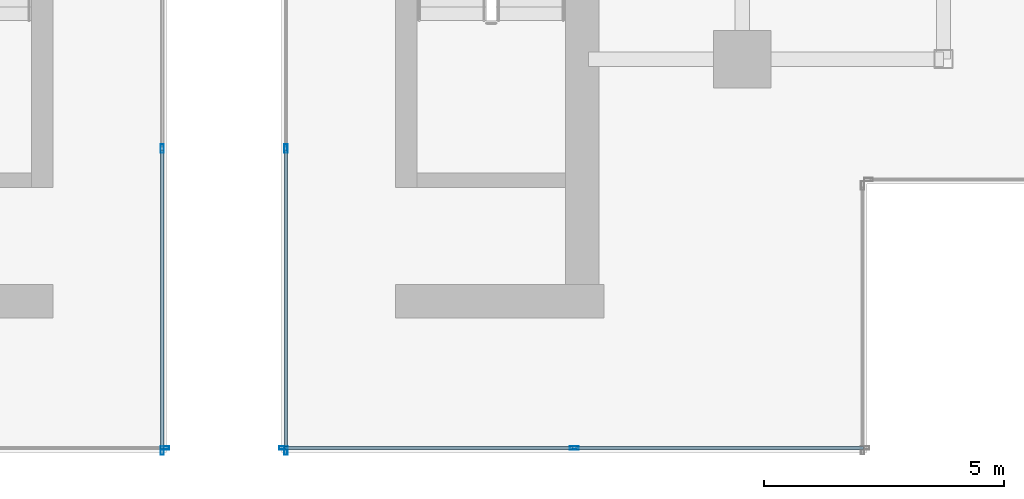
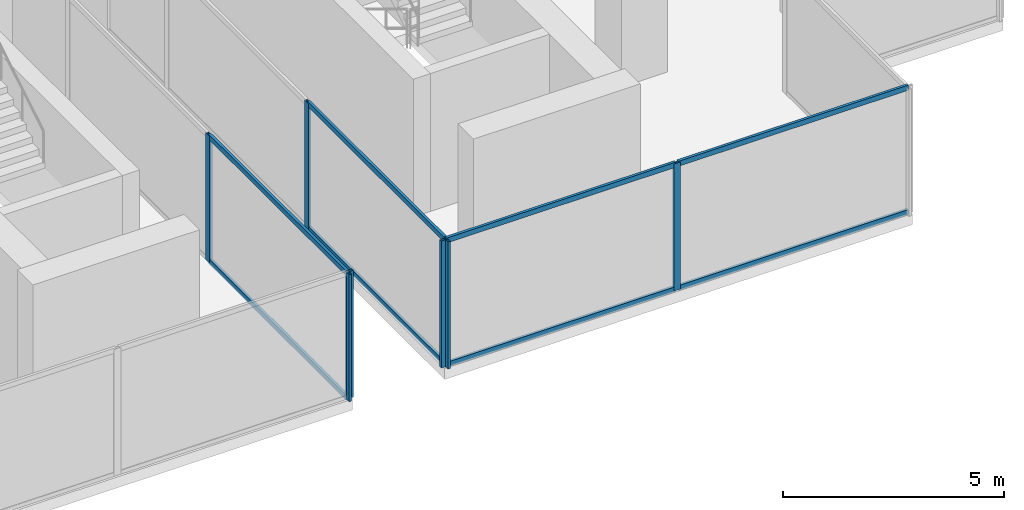
# One storey, part 5 of 25: 15 members, 4 elements without a shape of their own.
"""IFC4 building model written with IfcOpenShell, lengths in metres."""

from ifc_helpers import new_model, si_unit, direction, frame, origin, origin_2d, place, context, subcontext, project, spatial, hollow_rectangle, extrude, source, transform, mapped, material, material_profile, profile_set, type_object, type_shapes, element, aggregate, save


model = new_model("IFC4")

# Units and contexts
model_context = context("Model", 3, precision=1e-05, world=origin(), true_north=direction((0.0, 1.0)))
body_context = subcontext(model_context, "Body", "Model", "MODEL_VIEW")
ifc_project = project(units=[si_unit("LENGTHUNIT", "METRE"), si_unit("AREAUNIT", "SQUARE_METRE"), si_unit("VOLUMEUNIT", "CUBIC_METRE"), si_unit("PLANEANGLEUNIT", "RADIAN"), si_unit("MASSUNIT", "GRAM", prefix="KILO")], contexts=[model_context])

# Site, building, storey
site_placement = place(None, origin())
site = spatial("IfcSite", under=ifc_project, at=site_placement, CompositionType="ELEMENT")
building_placement = place(site_placement, origin())
building = spatial("IfcBuilding", under=site, at=building_placement, Name="Krantzveldt Concourse Tower", CompositionType="ELEMENT")
storey_placement = place(building_placement, frame((0.0, 0.0, 370.85009765625)))
storey = spatial("IfcBuildingStorey", under=building, at=storey_placement, Name="L91", CompositionType="ELEMENT", Elevation=370.85009765625)

# Curtain wall, member
ifc_material = material(Name="Anodised aluminium 6063-T6", Category="aluminium")
curtain_wall_type = type_object("IfcCurtainWallType", Name="CW7", PredefinedType="USERDEFINED", material=ifc_material)
curtain_wall_1_placement = place(storey_placement, origin())
curtain_wall_1 = element("IfcCurtainWall", 1, at=curtain_wall_1_placement, inside=storey, type_object=curtain_wall_type, Name="CW-L91-WEST-00", ObjectType="UNITISED CURTAIN WALL", PredefinedType="USERDEFINED")
ifc_material_profile_1 = material_profile(ifc_material, hollow_rectangle(XDim=0.070068359375, YDim=0.179931640625, WallThickness=0.0048828125, at=origin_2d()), Name="Anodised aluminium 6063-T6", Category="aluminium")
ifc_profile_set_1 = profile_set([ifc_material_profile_1], Name="Anodised aluminium 6063-T6 - ALU-MULL 180x70x5")
member_type_1 = type_object("IfcMemberType", Name="CW-MUL-180", PredefinedType="MULLION", material=ifc_profile_set_1)
shared_shape_1 = source(origin(), body_context, "Body", "SweptSolid", [
    extrude(hollow_rectangle(XDim=0.070068359375, YDim=0.179931640625, WallThickness=0.0048828125, at=origin_2d()), origin(), (0.0, 0.0, 1.0), 3.5),
])
type_shapes(member_type_1, [shared_shape_1])
member_1_placement = place(storey_placement, frame((34.764892578125, 7.7900390625, 0.0), z_axis=(0.0, 0.0, 1.0), x_axis=(0.0, 1.0, 0.0)))
member_1 = element("IfcMember", 2, at=member_1_placement, type_object=member_type_1, Name="CW-CRN mullion 3", PredefinedType="MULLION", context=body_context, shape_type="MappedRepresentation", body=[
    mapped(shared_shape_1, transform((0.0, 0.0, 0.0), x_axis=(1.0, 0.0, 0.0), y_axis=(0.0, 1.0, 0.0), z_axis=(0.0, 0.0, 1.0), scale=1.0)),
])
aggregate(curtain_wall_1, [member_1])

# Curtain wall, members
curtain_wall_2_placement = place(storey_placement, origin())
curtain_wall_2 = element("IfcCurtainWall", 3, at=curtain_wall_2_placement, inside=storey, type_object=curtain_wall_type, Name="CW-L91-WEST-01", ObjectType="UNITISED CURTAIN WALL", PredefinedType="USERDEFINED")
member_2_placement = place(storey_placement, frame((34.7099609375, 7.735107421875, 0.0), z_axis=(0.0, 0.0, 1.0), x_axis=(-1.0, 0.0, 0.0)))
member_2 = element("IfcMember", 4, at=member_2_placement, type_object=member_type_1, Name="CW-CRN mullion 1", PredefinedType="MULLION", context=body_context, shape_type="MappedRepresentation", body=[
    mapped(shared_shape_1, transform((0.0, 0.0, 0.0), x_axis=(1.0, 0.0, 0.0), y_axis=(0.0, 1.0, 0.0), z_axis=(0.0, 0.0, 1.0), scale=1.0)),
])
member_3_placement = place(storey_placement, frame((34.7099609375, 14.033447265625, 0.0), z_axis=(0.0, 0.0, 1.0), x_axis=(-1.0, 0.0, 0.0)))
member_3 = element("IfcMember", 5, at=member_3_placement, type_object=member_type_1, Name="CW-CRN mullion 2", PredefinedType="MULLION", context=body_context, shape_type="MappedRepresentation", body=[
    mapped(shared_shape_1, transform((0.0, 0.0, 0.0), x_axis=(1.0, 0.0, 0.0), y_axis=(0.0, 1.0, 0.0), z_axis=(0.0, 0.0, 1.0), scale=1.0)),
])

curtain_wall_3_placement = place(storey_placement, origin())
curtain_wall_3 = element("IfcCurtainWall", 6, at=curtain_wall_3_placement, inside=storey, type_object=curtain_wall_type, Name="CW-L91-EAST-00", ObjectType="UNITISED CURTAIN WALL", PredefinedType="USERDEFINED")
member_4_placement = place(storey_placement, frame((37.235107421875, 7.7900390625, 0.0), z_axis=(0.0, 0.0, 1.0), x_axis=(0.0, 1.0, 0.0)))
member_4 = element("IfcMember", 7, at=member_4_placement, type_object=member_type_1, Name="CW-CRN mullion 1", PredefinedType="MULLION", context=body_context, shape_type="MappedRepresentation", body=[
    mapped(shared_shape_1, transform((0.0, 0.0, 0.0), x_axis=(1.0, 0.0, 0.0), y_axis=(0.0, 1.0, 0.0), z_axis=(0.0, 0.0, 1.0), scale=1.0)),
])
member_5_placement = place(storey_placement, frame((43.300048828125, 7.7900390625, 0.0), z_axis=(0.0, 0.0, 1.0), x_axis=(0.0, 1.0, 0.0)))
member_5 = element("IfcMember", 8, at=member_5_placement, type_object=member_type_1, Name="CW-CRN mullion 2", PredefinedType="MULLION", context=body_context, shape_type="MappedRepresentation", body=[
    mapped(shared_shape_1, transform((0.0, 0.0, 0.0), x_axis=(1.0, 0.0, 0.0), y_axis=(0.0, 1.0, 0.0), z_axis=(0.0, 0.0, 1.0), scale=1.0)),
])

curtain_wall_4_placement = place(storey_placement, origin())
curtain_wall_4 = element("IfcCurtainWall", 9, at=curtain_wall_4_placement, inside=storey, type_object=curtain_wall_type, Name="CW-L91-EAST-07", ObjectType="UNITISED CURTAIN WALL", PredefinedType="USERDEFINED")
member_6_placement = place(storey_placement, frame((37.2900390625, 14.033447265625, 0.0), z_axis=(0.0, 0.0, 1.0), x_axis=(1.0, 0.0, 0.0)))
member_6 = element("IfcMember", 10, at=member_6_placement, type_object=member_type_1, Name="CW-CRN mullion 6", PredefinedType="MULLION", context=body_context, shape_type="MappedRepresentation", body=[
    mapped(shared_shape_1, transform((0.0, 0.0, 0.0), x_axis=(1.0, 0.0, 0.0), y_axis=(0.0, 1.0, 0.0), z_axis=(0.0, 0.0, 1.0), scale=1.0)),
])
member_7_placement = place(storey_placement, frame((37.2900390625, 7.735107421875, 0.0), z_axis=(0.0, 0.0, 1.0), x_axis=(1.0, 0.0, 0.0)))
member_7 = element("IfcMember", 11, at=member_7_placement, type_object=member_type_1, Name="CW-CRN mullion 7", PredefinedType="MULLION", context=body_context, shape_type="MappedRepresentation", body=[
    mapped(shared_shape_1, transform((0.0, 0.0, 0.0), x_axis=(1.0, 0.0, 0.0), y_axis=(0.0, 1.0, 0.0), z_axis=(0.0, 0.0, 1.0), scale=1.0)),
])

# Member
ifc_material_profile_2 = material_profile(ifc_material, hollow_rectangle(XDim=0.070068359375, YDim=0.139892578125, WallThickness=0.0048828125, at=origin_2d()), Name="Anodised aluminium 6063-T6", Category="aluminium")
ifc_profile_set_2 = profile_set([ifc_material_profile_2], Name="Anodised aluminium 6063-T6 - ALU-TRAN 140x70x5")
member_type_2 = type_object("IfcMemberType", Name="CW-TRN-150", PredefinedType="USERDEFINED", material=ifc_profile_set_2)
shared_shape_2 = source(origin(), body_context, "Body", "SweptSolid", [
    extrude(hollow_rectangle(XDim=0.070068359375, YDim=0.139892578125, WallThickness=0.0048828125, at=origin_2d()), origin(), (0.0, 0.0, 1.0), 5.9951171875),
])
member_8_placement = place(storey_placement, frame((43.3349609375, 7.7900390625, 0.034912109375), z_axis=(1.0, 0.0, 0.0), x_axis=(0.0, 1.0, 0.0)))
member_8 = element("IfcMember", 12, at=member_8_placement, type_object=member_type_2, Name="CW-CRN transom 2.1", ObjectType="TRANSOM", PredefinedType="USERDEFINED", context=body_context, shape_type="MappedRepresentation", body=[
    mapped(shared_shape_2, transform((0.0, 0.0, 0.0), x_axis=(1.0, 0.0, 0.0), y_axis=(0.0, 1.0, 0.0), z_axis=(0.0, 0.0, 1.0), scale=1.0)),
])

member_9_placement = place(storey_placement, frame((43.3349609375, 7.7900390625, 3.46484375), z_axis=(1.0, 0.0, 0.0), x_axis=(0.0, 1.0, 0.0)))
member_9 = element("IfcMember", 13, at=member_9_placement, type_object=member_type_2, Name="CW-CRN transom 2.2", ObjectType="TRANSOM", PredefinedType="USERDEFINED", context=body_context, shape_type="MappedRepresentation", body=[
    mapped(shared_shape_2, transform((0.0, 0.0, 0.0), x_axis=(1.0, 0.0, 0.0), y_axis=(0.0, 1.0, 0.0), z_axis=(0.0, 0.0, 1.0), scale=1.0)),
])

shared_shape_3 = source(origin(), body_context, "Body", "SweptSolid", [
    extrude(hollow_rectangle(XDim=0.070068359375, YDim=0.139892578125, WallThickness=0.0048828125, at=origin_2d()), origin(), (0.0, 0.0, 1.0), 5.994873046875),
])
member_10_placement = place(storey_placement, frame((37.27001953125, 7.7900390625, 0.034912109375), z_axis=(1.0, 0.0, 0.0), x_axis=(0.0, 1.0, 0.0)))
member_10 = element("IfcMember", 14, at=member_10_placement, type_object=member_type_2, Name="CW-CRN transom 1.1", ObjectType="TRANSOM", PredefinedType="USERDEFINED", context=body_context, shape_type="MappedRepresentation", body=[
    mapped(shared_shape_3, transform((0.0, 0.0, 0.0), x_axis=(1.0, 0.0, 0.0), y_axis=(0.0, 1.0, 0.0), z_axis=(0.0, 0.0, 1.0), scale=1.0)),
])

member_11_placement = place(storey_placement, frame((37.27001953125, 7.7900390625, 3.46484375), z_axis=(1.0, 0.0, 0.0), x_axis=(0.0, 1.0, 0.0)))
member_11 = element("IfcMember", 15, at=member_11_placement, type_object=member_type_2, Name="CW-CRN transom 1.2", ObjectType="TRANSOM", PredefinedType="USERDEFINED", context=body_context, shape_type="MappedRepresentation", body=[
    mapped(shared_shape_3, transform((0.0, 0.0, 0.0), x_axis=(1.0, 0.0, 0.0), y_axis=(0.0, 1.0, 0.0), z_axis=(0.0, 0.0, 1.0), scale=1.0)),
])

aggregate(curtain_wall_3, [member_4, member_5, member_10, member_11, member_8, member_9])

shared_shape_4 = source(origin(), body_context, "Body", "SweptSolid", [
    extrude(hollow_rectangle(XDim=0.070068359375, YDim=0.139892578125, WallThickness=0.0048828125, at=origin_2d()), origin(), (0.0, 0.0, 1.0), 6.228271484375),
])
type_shapes(member_type_2, [shared_shape_2, shared_shape_3, shared_shape_4])
member_12_placement = place(storey_placement, frame((34.7099609375, 7.77001953125, 0.034912109375), z_axis=(0.0, 1.0, 0.0), x_axis=(-1.0, 0.0, 0.0)))
member_12 = element("IfcMember", 16, at=member_12_placement, type_object=member_type_2, Name="CW-CRN transom 1.1", ObjectType="TRANSOM", PredefinedType="USERDEFINED", context=body_context, shape_type="MappedRepresentation", body=[
    mapped(shared_shape_4, transform((0.0, 0.0, 0.0), x_axis=(1.0, 0.0, 0.0), y_axis=(0.0, 1.0, 0.0), z_axis=(0.0, 0.0, 1.0), scale=1.0)),
])

member_13_placement = place(storey_placement, frame((34.7099609375, 7.77001953125, 3.46484375), z_axis=(0.0, 1.0, 0.0), x_axis=(-1.0, 0.0, 0.0)))
member_13 = element("IfcMember", 17, at=member_13_placement, type_object=member_type_2, Name="CW-CRN transom 1.2", ObjectType="TRANSOM", PredefinedType="USERDEFINED", context=body_context, shape_type="MappedRepresentation", body=[
    mapped(shared_shape_4, transform((0.0, 0.0, 0.0), x_axis=(1.0, 0.0, 0.0), y_axis=(0.0, 1.0, 0.0), z_axis=(0.0, 0.0, 1.0), scale=1.0)),
])

aggregate(curtain_wall_2, [member_2, member_3, member_12, member_13])

member_14_placement = place(storey_placement, frame((37.2900390625, 13.998291015625, 0.034912109375), z_axis=(0.0, -1.0, 0.0), x_axis=(1.0, 0.0, 0.0)))
member_14 = element("IfcMember", 18, at=member_14_placement, type_object=member_type_2, Name="CW-CRN transom 6.1", ObjectType="TRANSOM", PredefinedType="USERDEFINED", context=body_context, shape_type="MappedRepresentation", body=[
    mapped(shared_shape_4, transform((0.0, 0.0, 0.0), x_axis=(1.0, 0.0, 0.0), y_axis=(0.0, 1.0, 0.0), z_axis=(0.0, 0.0, 1.0), scale=1.0)),
])

member_15_placement = place(storey_placement, frame((37.2900390625, 13.998291015625, 3.46484375), z_axis=(0.0, -1.0, 0.0), x_axis=(1.0, 0.0, 0.0)))
member_15 = element("IfcMember", 19, at=member_15_placement, type_object=member_type_2, Name="CW-CRN transom 6.2", ObjectType="TRANSOM", PredefinedType="USERDEFINED", context=body_context, shape_type="MappedRepresentation", body=[
    mapped(shared_shape_4, transform((0.0, 0.0, 0.0), x_axis=(1.0, 0.0, 0.0), y_axis=(0.0, 1.0, 0.0), z_axis=(0.0, 0.0, 1.0), scale=1.0)),
])

aggregate(curtain_wall_4, [member_6, member_7, member_14, member_15])

save(model, "model.ifc")
